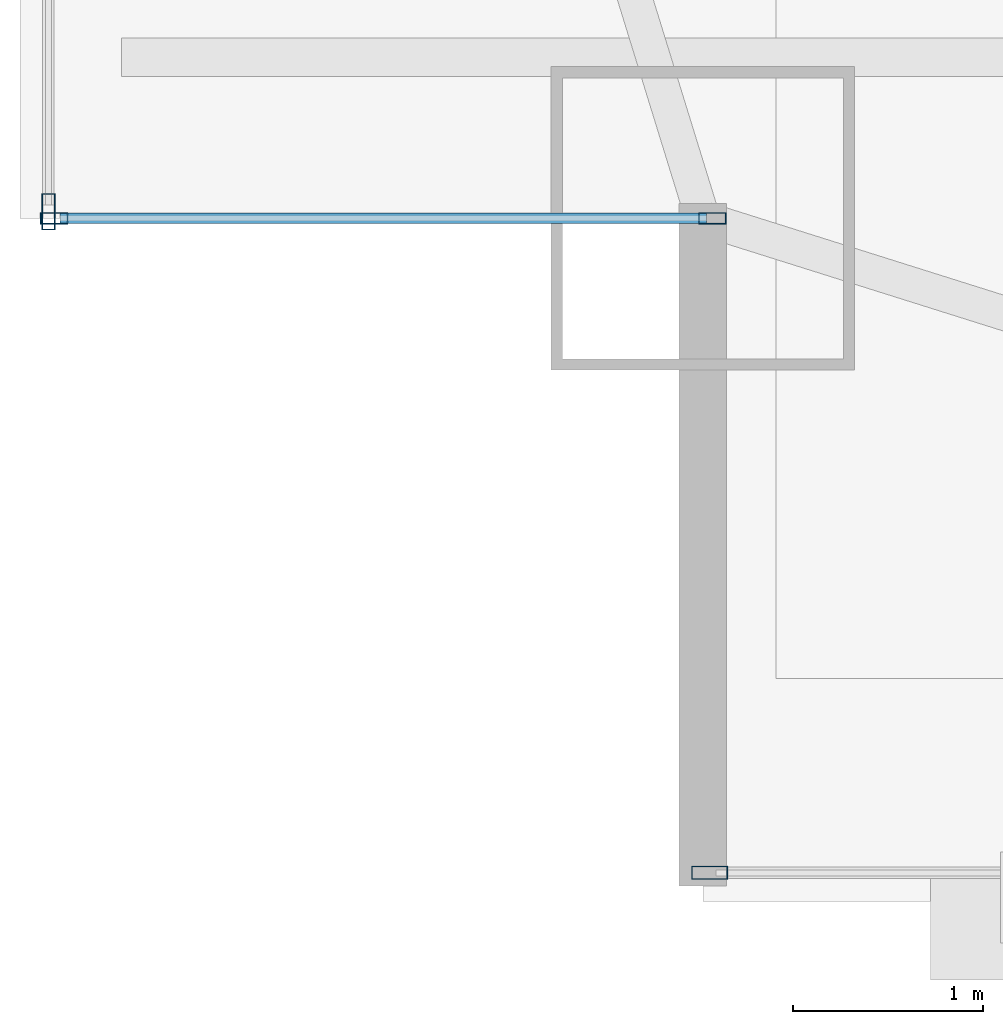
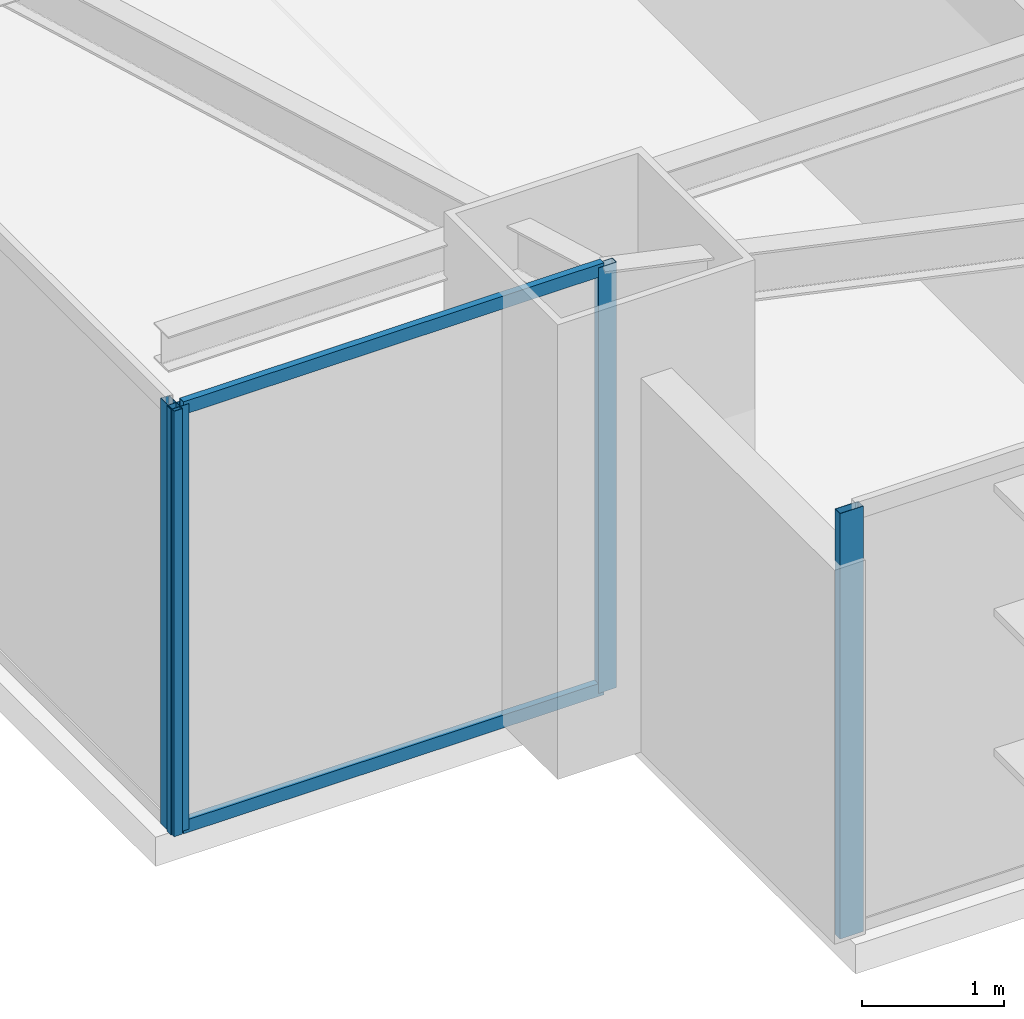
# One storey, part 3 of 32: 6 members, 3 elements without a shape of their own.
"""IFC4 building model written with IfcOpenShell, lengths in metres."""

from ifc_helpers import new_model, si_unit, direction, frame, origin, origin_2d, place, context, subcontext, project, spatial, hollow_rectangle, extrude, source, transform, mapped, material, layer, layer_set, material_profile, profile_set, type_object, type_shapes, element, aggregate, save


model = new_model("IFC4")

# Units and contexts
model_context = context("Model", 3, precision=1e-05, world=origin(), true_north=direction((0.0, 1.0)))
body_context = subcontext(model_context, "Body", "Model", "MODEL_VIEW")
ifc_project = project(units=[si_unit("LENGTHUNIT", "METRE"), si_unit("AREAUNIT", "SQUARE_METRE"), si_unit("VOLUMEUNIT", "CUBIC_METRE"), si_unit("PLANEANGLEUNIT", "RADIAN"), si_unit("MASSUNIT", "GRAM", prefix="KILO")], contexts=[model_context])

# Site, building, storey
site_placement = place(None, origin())
site = spatial("IfcSite", under=ifc_project, at=site_placement, CompositionType="ELEMENT")
building_placement = place(site_placement, origin())
building = spatial("IfcBuilding", under=site, at=building_placement, Name="Varnel Quay Broadcast Tower", CompositionType="ELEMENT")
storey_placement = place(building_placement, frame((0.0, 0.0, 70.5)))
storey = spatial("IfcBuildingStorey", under=building, at=storey_placement, Name="L16", CompositionType="ELEMENT", Elevation=70.5)

# Curtain wall, member
ifc_material = material(Name="Anodised Bronze Aluminium 6063-T6", Category="aluminium")
ifc_layer_1 = layer(ifc_material, 0.18994140625, Name="Anodised Bronze Aluminium 6063-T6")
ifc_layer_set_1 = layer_set([ifc_layer_1], Name="Anodised Bronze Aluminium 6063-T6")
curtain_wall_type_1 = type_object("IfcCurtainWallType", Name="CW_LowerTower", PredefinedType="NOTDEFINED", material=ifc_layer_set_1)
curtain_wall_1_placement = place(storey_placement, origin())
curtain_wall_1 = element("IfcCurtainWall", 1, at=curtain_wall_1_placement, inside=storey, type_object=curtain_wall_type_1, Name="L16 South Unitised Curtain Wall 1", PredefinedType="NOTDEFINED")
ifc_material_profile_1 = material_profile(ifc_material, hollow_rectangle(XDim=0.070068359375, YDim=0.18994140625, WallThickness=0.00390625, at=origin_2d()), Name="ALU70X190X4")
ifc_profile_set_1 = profile_set([ifc_material_profile_1], Name="Anodised Bronze Aluminium 6063-T6")
member_type_1 = type_object("IfcMemberType", Name="Mull_CWS-02", PredefinedType="MULLION", material=ifc_profile_set_1)
shared_shape_1 = source(origin(), body_context, "Body", "SweptSolid", [
    extrude(hollow_rectangle(XDim=0.070068359375, YDim=0.18994140625, WallThickness=0.00390625, at=origin_2d()), origin(), (0.0, 0.0, 1.0), 3.64990234375),
])
type_shapes(member_type_1, [shared_shape_1])
member_1_placement = place(storey_placement, frame((5.635009765625, 1.35009765625, 0.0), z_axis=(0.0, 0.0, 1.0), x_axis=(0.0, 1.0, 0.0)))
member_1 = element("IfcMember", 2, at=member_1_placement, type_object=member_type_1, Name="CWS-02 mullion 1", PredefinedType="MULLION", context=body_context, shape_type="MappedRepresentation", body=[
    mapped(shared_shape_1, transform((0.0, 0.0, 0.0), x_axis=(1.0, 0.0, 0.0), y_axis=(0.0, 1.0, 0.0), z_axis=(0.0, 0.0, 1.0), scale=1.0)),
])
aggregate(curtain_wall_1, [member_1])

curtain_wall_2_placement = place(storey_placement, origin())
curtain_wall_2 = element("IfcCurtainWall", 3, at=curtain_wall_2_placement, inside=storey, type_object=curtain_wall_type_1, Name="L16 West Unitised Curtain Wall", PredefinedType="NOTDEFINED")
member_2_placement = place(storey_placement, frame((2.14990234375, 4.8349609375, 0.0), z_axis=(0.0, 0.0, 1.0), x_axis=(-1.0, 0.0, 0.0)))
member_2 = element("IfcMember", 4, at=member_2_placement, type_object=member_type_1, Name="CWS-02 mullion 1", PredefinedType="MULLION", context=body_context, shape_type="MappedRepresentation", body=[
    mapped(shared_shape_1, transform((0.0, 0.0, 0.0), x_axis=(1.0, 0.0, 0.0), y_axis=(0.0, 1.0, 0.0), z_axis=(0.0, 0.0, 1.0), scale=1.0)),
])
aggregate(curtain_wall_2, [member_2])

# Curtain wall, members
ifc_layer_2 = layer(ifc_material, 0.18994140625, Name="Anodised Bronze Aluminium 6063-T6")
ifc_layer_set_2 = layer_set([ifc_layer_2], Name="Anodised Bronze Aluminium 6063-T6")
curtain_wall_type_2 = type_object("IfcCurtainWallType", Name="CW_NotchCorner", PredefinedType="NOTDEFINED", material=ifc_layer_set_2)
curtain_wall_3_placement = place(storey_placement, origin())
curtain_wall_3 = element("IfcCurtainWall", 5, at=curtain_wall_3_placement, inside=storey, type_object=curtain_wall_type_2, Name="L16 SW Notch Curtain Wall", PredefinedType="NOTDEFINED")
ifc_material_profile_2 = material_profile(ifc_material, hollow_rectangle(XDim=0.06005859375, YDim=0.14501953125, WallThickness=0.00341796875, at=origin_2d()), Name="ALU60X145X3.5")
ifc_profile_set_2 = profile_set([ifc_material_profile_2], Name="Anodised Bronze Aluminium 6063-T6")
member_type_2 = type_object("IfcMemberType", Name="Mull_CWS-04", PredefinedType="MULLION", material=ifc_profile_set_2)
shared_shape_2 = source(origin(), body_context, "Body", "SweptSolid", [
    extrude(hollow_rectangle(XDim=0.06005859375, YDim=0.14501953125, WallThickness=0.00341796875, at=origin_2d()), origin(), (0.0, 0.0, 1.0), 3.64990234375),
])
type_shapes(member_type_2, [shared_shape_2])
member_3_placement = place(storey_placement, frame((2.179931640625, 4.800048828125, 0.0), z_axis=(0.0, 0.0, 1.0), x_axis=(0.0, 1.0, 0.0)))
member_3 = element("IfcMember", 6, at=member_3_placement, type_object=member_type_2, Name="CWS-04 mullion 1", PredefinedType="MULLION", context=body_context, shape_type="MappedRepresentation", body=[
    mapped(shared_shape_2, transform((0.0, 0.0, 0.0), x_axis=(1.0, 0.0, 0.0), y_axis=(0.0, 1.0, 0.0), z_axis=(0.0, 0.0, 1.0), scale=1.0)),
])
member_4_placement = place(storey_placement, frame((5.64990234375, 4.800048828125, 0.0), z_axis=(0.0, 0.0, 1.0), x_axis=(0.0, 1.0, 0.0)))
member_4 = element("IfcMember", 7, at=member_4_placement, type_object=member_type_2, Name="CWS-04 mullion 2", PredefinedType="MULLION", context=body_context, shape_type="MappedRepresentation", body=[
    mapped(shared_shape_2, transform((0.0, 0.0, 0.0), x_axis=(1.0, 0.0, 0.0), y_axis=(0.0, 1.0, 0.0), z_axis=(0.0, 0.0, 1.0), scale=1.0)),
])
ifc_material_profile_3 = material_profile(ifc_material, hollow_rectangle(XDim=0.054931640625, YDim=0.110107421875, WallThickness=0.0029296875, at=origin_2d()), Name="ALU55X110X3")
ifc_profile_set_3 = profile_set([ifc_material_profile_3], Name="Anodised Bronze Aluminium 6063-T6")
member_type_3 = type_object("IfcMemberType", Name="Tran_CWS-04", PredefinedType="USERDEFINED", material=ifc_profile_set_3)
shared_shape_3 = source(origin(), body_context, "Body", "SweptSolid", [
    extrude(hollow_rectangle(XDim=0.054931640625, YDim=0.110107421875, WallThickness=0.0029296875, at=origin_2d()), origin(), (0.0, 0.0, 1.0), 3.41015625),
])
type_shapes(member_type_3, [shared_shape_3])
member_5_placement = place(storey_placement, frame((2.2099609375, 4.800048828125, 0.027587890625), z_axis=(1.0, 0.0, 0.0), x_axis=(0.0, 1.0, 0.0)))
member_5 = element("IfcMember", 8, at=member_5_placement, type_object=member_type_3, Name="CWS-04 transom 1.1", ObjectType="TRANSOM", PredefinedType="USERDEFINED", context=body_context, shape_type="MappedRepresentation", body=[
    mapped(shared_shape_3, transform((0.0, 0.0, 0.0), x_axis=(1.0, 0.0, 0.0), y_axis=(0.0, 1.0, 0.0), z_axis=(0.0, 0.0, 1.0), scale=1.0)),
])
member_6_placement = place(storey_placement, frame((2.2099609375, 4.800048828125, 3.62255859375), z_axis=(1.0, 0.0, 0.0), x_axis=(0.0, 1.0, 0.0)))
member_6 = element("IfcMember", 9, at=member_6_placement, type_object=member_type_3, Name="CWS-04 transom 1.2", ObjectType="TRANSOM", PredefinedType="USERDEFINED", context=body_context, shape_type="MappedRepresentation", body=[
    mapped(shared_shape_3, transform((0.0, 0.0, 0.0), x_axis=(1.0, 0.0, 0.0), y_axis=(0.0, 1.0, 0.0), z_axis=(0.0, 0.0, 1.0), scale=1.0)),
])
aggregate(curtain_wall_3, [member_3, member_4, member_5, member_6])

save(model, "model.ifc")
